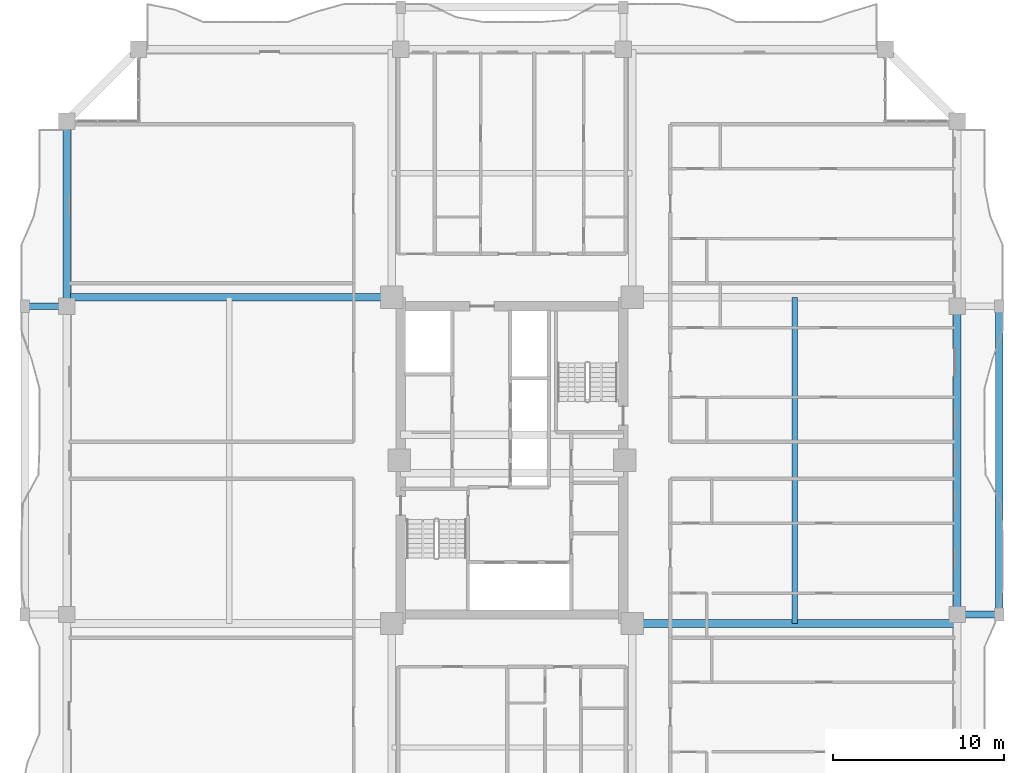
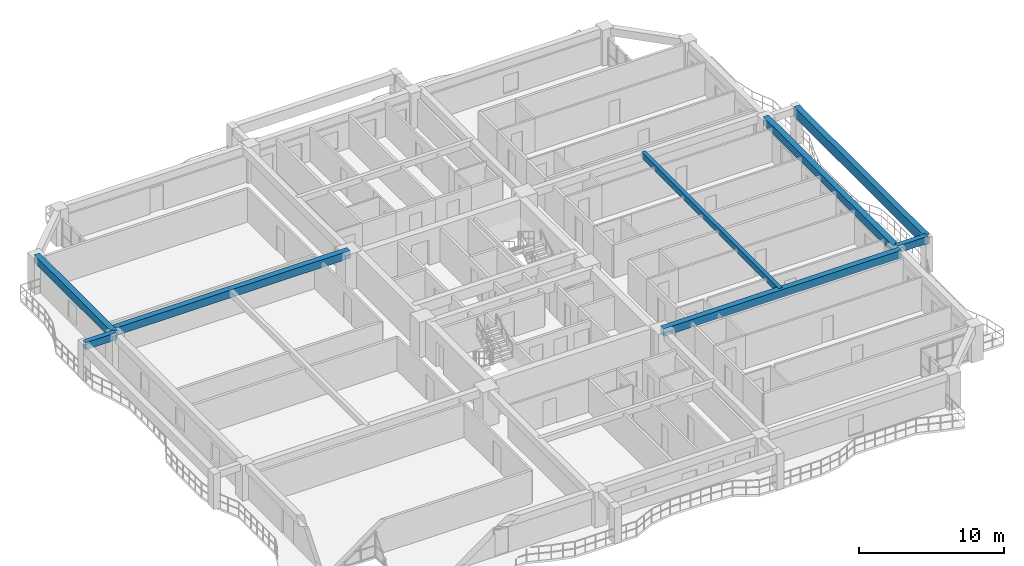
# One storey, part 5 of 24: 8 beams.
"""IFC4 building model written with IfcOpenShell, lengths in metres."""

from ifc_helpers import new_model, si_unit, direction, frame, origin, origin_2d, place, context, subcontext, project, spatial, rectangle, extrude, source, transform, mapped, material, material_profile, profile_set, type_object, element, save


model = new_model("IFC4")

# Units and contexts
model_context = context("Model", 3, precision=1e-05, world=origin(), true_north=direction((0.0, 1.0)))
body_context = subcontext(model_context, "Body", "Model", "MODEL_VIEW")
ifc_project = project(units=[si_unit("LENGTHUNIT", "METRE"), si_unit("AREAUNIT", "SQUARE_METRE"), si_unit("VOLUMEUNIT", "CUBIC_METRE"), si_unit("PLANEANGLEUNIT", "RADIAN"), si_unit("MASSUNIT", "GRAM", prefix="KILO")], contexts=[model_context])

# Site, building, storey
site_placement = place(None, origin())
site = spatial("IfcSite", under=ifc_project, at=site_placement, CompositionType="ELEMENT")
building_placement = place(site_placement, origin())
building = spatial("IfcBuilding", under=site, at=building_placement, Name="Saelheon Loggia Tower", CompositionType="ELEMENT")
storey_placement = place(building_placement, frame((0.0, 0.0, 98.85009765625)))
storey = spatial("IfcBuildingStorey", under=building, at=storey_placement, Name="L31", CompositionType="ELEMENT", Elevation=98.85009765625)

# Beams
ifc_material_1 = material(Name="Precast Concrete C45/55", Category="concrete")
ifc_material_profile_1 = material_profile(ifc_material_1, rectangle(XDim=0.39990234375, YDim=0.60009765625, at=origin_2d()), Name="RC-400x600")
ifc_profile_set_1 = profile_set([ifc_material_profile_1], Name="Precast Concrete C45/55")
beam_type_1 = type_object("IfcBeamType", Name="Beam_LoggiaTie_RC400x600", PredefinedType="BEAM", material=ifc_profile_set_1)
shared_shape_1 = source(origin(), body_context, "Body", "SweptSolid", [
    extrude(rectangle(XDim=0.39990234375, YDim=0.60009765625, at=origin_2d()), origin(), (0.0, 0.0, 1.0), 2.449951171875),
])
for number, where, z_axis, x_axis, name in (
    (1, (64.0, 18.0, 2.699951171875), (1.0, 0.0, 0.0), (0.0, 1.0, 0.0), "L31 Loggia Frame Tie Beam LP-E1"),
    (2, (12.0, 36.0, 2.699951171875), (-1.0, 0.0, 0.0), (0.0, -1.0, 0.0), "L31 Loggia Frame Tie Beam LP-W2"),
):
    element("IfcBeam", number, at=place(storey_placement, frame(where, z_axis=z_axis, x_axis=x_axis)), inside=storey, type_object=beam_type_1, Name=name, PredefinedType="BEAM", context=body_context, shape_type="MappedRepresentation", body=[
        mapped(shared_shape_1, transform((0.0, 0.0, 0.0), scale=1.0)),
    ])
ifc_material_profile_2 = material_profile(ifc_material_1, rectangle(XDim=0.449951171875, YDim=0.85009765625, at=origin_2d()), Name="RC-450x850")
ifc_profile_set_2 = profile_set([ifc_material_profile_2], Name="Precast Concrete C45/55")
beam_type_2 = type_object("IfcBeamType", Name="Beam_LoggiaSpandrel_RC450x850", PredefinedType="SPANDREL", material=ifc_profile_set_2)
shared_shape_2 = source(origin(), body_context, "Body", "SweptSolid", [
    extrude(rectangle(XDim=0.449951171875, YDim=0.85009765625, at=origin_2d()), origin(), (0.0, 0.0, 1.0), 18.0),
])
beam_1_placement = place(storey_placement, frame((66.449951171875, 18.0, 2.574951171875), z_axis=(0.0, 1.0, 0.0), x_axis=(-1.0, 0.0, 0.0)))
element("IfcBeam", 3, at=beam_1_placement, inside=storey, type_object=beam_type_2, Name="L31 Loggia Spandrel Beam E", PredefinedType="SPANDREL", context=body_context, shape_type="MappedRepresentation", body=[
    mapped(shared_shape_2, transform((0.0, 0.0, 0.0), scale=1.0)),
])
ifc_material_2 = material(Name="Concrete C40/50", Category="concrete")
ifc_material_profile_3 = material_profile(ifc_material_2, rectangle(XDim=0.449951171875, YDim=0.64990234375, at=origin_2d()), Name="RC-450x650")
ifc_profile_set_3 = profile_set([ifc_material_profile_3], Name="Concrete C40/50")
beam_type_3 = type_object("IfcBeamType", Name="Beam_PerimTower_RC450x650", PredefinedType="BEAM", material=ifc_profile_set_3)
shared_shape_3 = source(origin(), body_context, "Body", "SweptSolid", [
    extrude(rectangle(XDim=0.449951171875, YDim=0.64990234375, at=origin_2d()), origin(), (0.0, 0.0, 1.0), 10.800048828125),
])
beam_2_placement = place(storey_placement, frame((12.0, 46.800048828125, 2.6748046875), z_axis=(0.0, -1.0, 0.0), x_axis=(1.0, 0.0, 0.0)))
element("IfcBeam", 4, at=beam_2_placement, inside=storey, type_object=beam_type_3, Name="L31 Perimeter Frame Girder 13", PredefinedType="BEAM", context=body_context, shape_type="MappedRepresentation", body=[
    mapped(shared_shape_3, transform((0.0, 0.0, 0.0), scale=1.0)),
])
shared_shape_4 = source(origin(), body_context, "Body", "SweptSolid", [
    extrude(rectangle(XDim=0.449951171875, YDim=0.64990234375, at=origin_2d()), origin(), (0.0, 0.0, 1.0), 18.0),
])
beam_3_placement = place(storey_placement, frame((64.0, 18.0, 2.6748046875), z_axis=(0.0, 1.0, 0.0), x_axis=(-1.0, 0.0, 0.0)))
element("IfcBeam", 5, at=beam_3_placement, inside=storey, type_object=beam_type_3, Name="L31 Perimeter Frame Girder 06", PredefinedType="BEAM", context=body_context, shape_type="MappedRepresentation", body=[
    mapped(shared_shape_4, transform((0.0, 0.0, 0.0), scale=1.0)),
])
ifc_material_profile_4 = material_profile(ifc_material_2, rectangle(XDim=0.449951171875, YDim=0.64990234375, at=origin_2d()), Name="RC-450x650")
ifc_profile_set_4 = profile_set([ifc_material_profile_4], Name="Concrete C40/50")
beam_type_4 = type_object("IfcBeamType", Name="Beam_TowerGirder_RC450x650", PredefinedType="BEAM", material=ifc_profile_set_4)
shared_shape_5 = source(origin(), body_context, "Body", "SweptSolid", [
    extrude(rectangle(XDim=0.449951171875, YDim=0.64990234375, at=origin_2d()), origin(), (0.0, 0.0, 1.0), 18.97998046875),
])
for number, where, z_axis, x_axis, name in (
    (6, (30.97998046875, 36.52001953125, 2.6748046875), (-1.0, 0.0, 0.0), (0.0, -1.0, 0.0), "L31 Radial Floor Girder RAD-NW-W"),
    (7, (45.02001953125, 17.47998046875, 2.6748046875), (1.0, 0.0, 0.0), (0.0, 1.0, 0.0), "L31 Radial Floor Girder RAD-SE-E"),
):
    element("IfcBeam", number, at=place(storey_placement, frame(where, z_axis=z_axis, x_axis=x_axis)), inside=storey, type_object=beam_type_4, Name=name, PredefinedType="BEAM", context=body_context, shape_type="MappedRepresentation", body=[
        mapped(shared_shape_5, transform((0.0, 0.0, 0.0), scale=1.0)),
    ])
ifc_material_profile_5 = material_profile(ifc_material_2, rectangle(XDim=0.300048828125, YDim=0.5, at=origin_2d()), Name="RC-300x500")
ifc_profile_set_5 = profile_set([ifc_material_profile_5], Name="Concrete C40/50")
beam_type_5 = type_object("IfcBeamType", Name="Beam_Joist_RC300x500", PredefinedType="JOIST", material=ifc_profile_set_5)
shared_shape_6 = source(origin(), body_context, "Body", "SweptSolid", [
    extrude(rectangle(XDim=0.300048828125, YDim=0.5, at=origin_2d()), origin(), (0.0, 0.0, 1.0), 19.0400390625),
])
beam_4_placement = place(storey_placement, frame((54.510009765625, 17.47998046875, 2.75), z_axis=(0.0, 1.0, 0.0), x_axis=(-1.0, 0.0, 0.0)))
element("IfcBeam", 8, at=beam_4_placement, inside=storey, type_object=beam_type_5, Name="L31 East Floor Joist", PredefinedType="JOIST", context=body_context, shape_type="MappedRepresentation", body=[
    mapped(shared_shape_6, transform((0.0, 0.0, 0.0), scale=1.0)),
])

save(model, "model.ifc")
